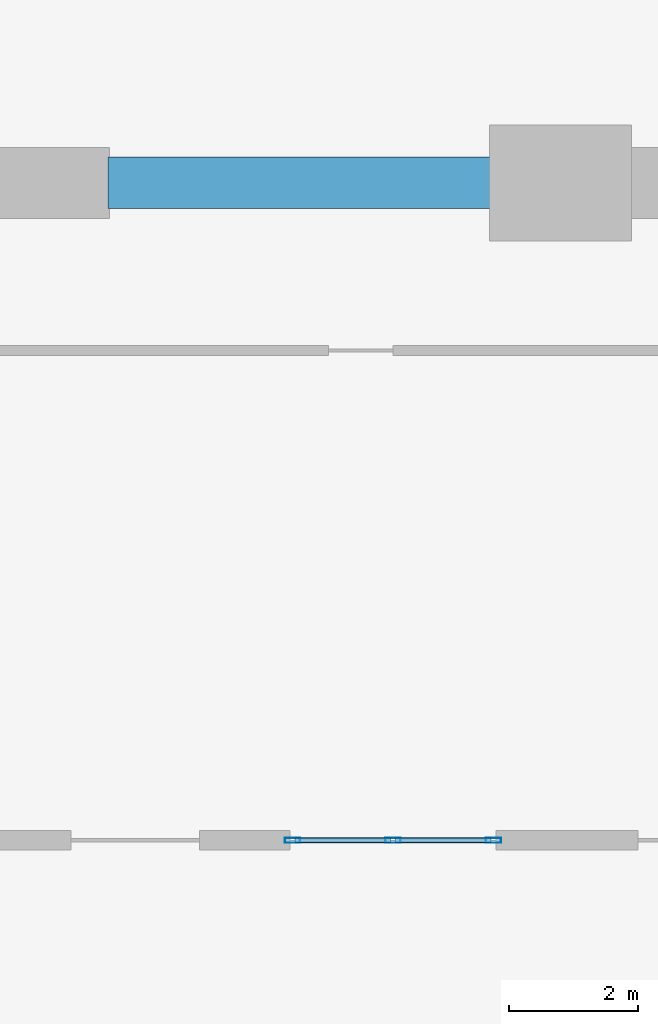
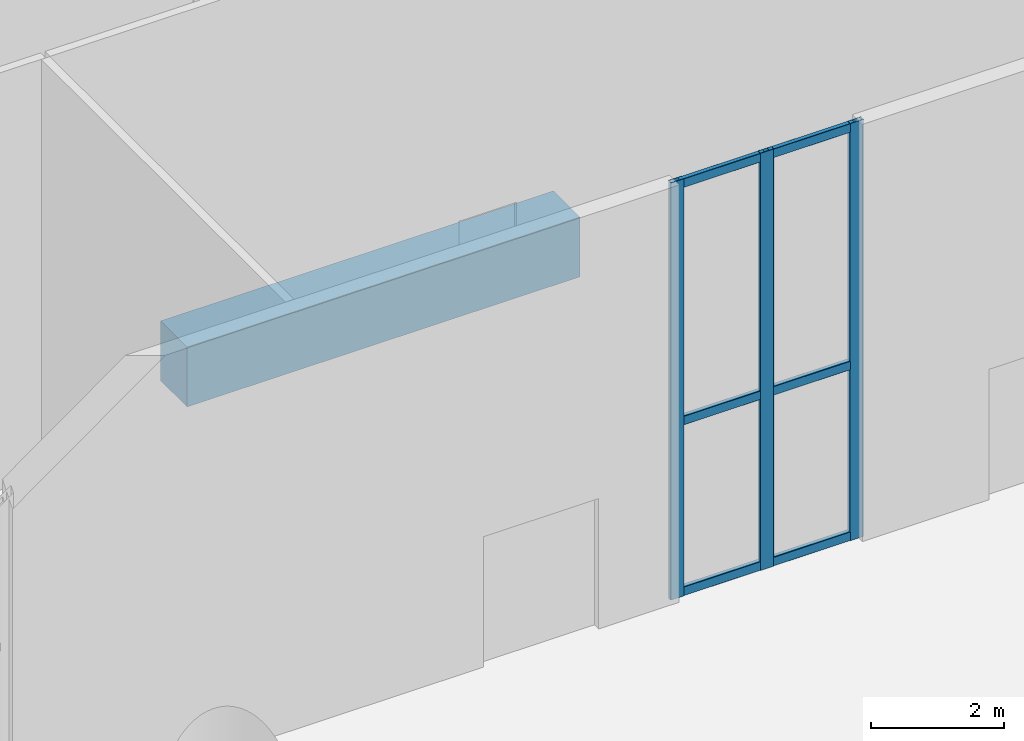
# One storey, part 6 of 17: 9 members, 1 beam, 1 element without a shape of its own.
"""IFC4 building model written with IfcOpenShell, lengths in metres."""

import ifcopenshell
import ifcopenshell.guid

model = None  # the IFC model being written
_history = None  # IfcOwnerHistory: only IFC2X3 demands one
_inside = {}  # id of a spatial element -> (the spatial element, [elements in it])
_under = {}  # id of a project, library or spatial element -> (it, [spatial elements below it])
_declared = {}  # id of a project -> (the project, [libraries it declares])
_typed = {}  # id of a type object -> (the type object, [elements of that type])
_made_of = {}  # id of a material, layer set ... -> (it, [elements and type objects made of it])


def new_model(schema):
    """Start an empty IFC model of exactly this schema.

    Asked for "IFC4X3", IfcOpenShell would pick the latest addendum, in which some entities
    have other attributes; the version numbers below select the first issue.
    IFC2X3 requires an IfcOwnerHistory on every rooted entity: one is made here for all.
    """
    global model, _history
    if schema == "IFC4X3":
        model = ifcopenshell.file(schema_version=(4, 3, 0, 0))
    else:
        model = ifcopenshell.file(schema=schema)
    _inside.clear()
    _under.clear()
    _declared.clear()
    _typed.clear()
    _made_of.clear()
    _history = None
    if model.schema == "IFC2X3":
        org = make("IfcOrganization", Name="unknown")
        user = make(
            "IfcPersonAndOrganization",
            ThePerson=make("IfcPerson", FamilyName="unknown"),
            TheOrganization=org,
        )
        app = make(
            "IfcApplication",
            ApplicationDeveloper=org,
            Version="unknown",
            ApplicationFullName="unknown",
            ApplicationIdentifier="unknown",
        )
        _history = make(
            "IfcOwnerHistory",
            OwningUser=user,
            OwningApplication=app,
            ChangeAction="ADDED",
            CreationDate=0,
        )
    return model


def make(cls, **values):
    """One entity of the class cls with the attributes given. An attribute that is None is left unset."""
    return model.create_entity(
        cls, **{name: value for name, value in values.items() if value is not None}
    )


def rooted(cls, **values):
    """An entity with a GlobalId (a new one), such as an element, a storey or a relation."""
    return make(cls, GlobalId=ifcopenshell.guid.new(), OwnerHistory=_history, **values)


def si_unit(unit_type, name, prefix=None):
    """IfcSIUnit, for example si_unit("LENGTHUNIT", "METRE", prefix="MILLI")."""
    return make("IfcSIUnit", UnitType=unit_type, Prefix=prefix, Name=name)


def assignment(units):
    """IfcUnitAssignment: the units of a project."""
    return None if units is None else make("IfcUnitAssignment", Units=units)


def point(xyz):
    """IfcCartesianPoint."""
    return None if xyz is None else make("IfcCartesianPoint", Coordinates=xyz)


def direction(xyz):
    """IfcDirection."""
    return None if xyz is None else make("IfcDirection", DirectionRatios=xyz)


def frame(location, z_axis=None, x_axis=None):
    """IfcAxis2Placement3D, a coordinate frame: its origin and axes. An axis left out is left unset."""
    return make(
        "IfcAxis2Placement3D",
        Location=point(location),
        Axis=direction(z_axis),
        RefDirection=direction(x_axis),
    )


def frame_2d(location, x_axis=None):
    """IfcAxis2Placement2D, a coordinate frame in the plane: its origin and x axis."""
    return make(
        "IfcAxis2Placement2D", Location=point(location), RefDirection=direction(x_axis)
    )


def origin():
    """The frame at (0, 0, 0) with its axes left unset."""
    return frame((0.0, 0.0, 0.0))


def origin_2d():
    """The frame at (0, 0) in the plane with its x axis left unset."""
    return frame_2d((0.0, 0.0))


def place(relative_to, where):
    """IfcLocalPlacement: puts the frame where relative to a parent placement (None: the world)."""
    return make(
        "IfcLocalPlacement", PlacementRelTo=relative_to, RelativePlacement=where
    )


def context(
    kind, dimensions, precision=None, world=None, true_north=None, identifier=None
):
    """IfcGeometricRepresentationContext, for example the 3D "Model" context."""
    return make(
        "IfcGeometricRepresentationContext",
        ContextIdentifier=identifier,
        ContextType=kind,
        CoordinateSpaceDimension=dimensions,
        Precision=precision,
        WorldCoordinateSystem=world,
        TrueNorth=true_north,
    )


def subcontext(parent, identifier, kind, view, scale=None):
    """IfcGeometricRepresentationSubContext, for example "Body" below "Model"."""
    return make(
        "IfcGeometricRepresentationSubContext",
        ContextIdentifier=identifier,
        ContextType=kind,
        ParentContext=parent,
        TargetScale=scale,
        TargetView=view,
    )


def project(units=None, contexts=None):
    """IfcProject with its units and contexts."""
    return rooted(
        "IfcProject",
        Name="project",
        RepresentationContexts=contexts,
        UnitsInContext=assignment(units),
    )


def spatial(cls, under=None, at=None, **own):
    """A site, building, storey or space (cls), placed at a placement, below another one or the project."""
    s = rooted(cls, ObjectPlacement=at, **own)
    if under is not None:
        _under.setdefault(under.id(), (under, []))[1].append(s)
    return s


def profile(cls, at=None, kind="AREA", **sizes):
    """A parametric profile (cls). Its sizes go by their IFC names, for example OverallWidth=200.0."""
    return make(cls, ProfileType=kind, Position=at, **sizes)


def rectangle(**sizes):
    """IfcRectangleProfileDef."""
    return profile("IfcRectangleProfileDef", **sizes)


def hollow_rectangle(**sizes):
    """IfcRectangleHollowProfileDef."""
    return profile("IfcRectangleHollowProfileDef", **sizes)


def extrude(swept, where, along, depth):
    """IfcExtrudedAreaSolid: the profile swept, set in the frame where, extruded along a direction by depth."""
    return make(
        "IfcExtrudedAreaSolid",
        SweptArea=swept,
        Position=where,
        ExtrudedDirection=direction(along),
        Depth=depth,
    )


def shape(context_of_items, identifier, shape_type, items):
    """IfcShapeRepresentation: the items that make up one representation, for example the "Body"."""
    return make(
        "IfcShapeRepresentation",
        ContextOfItems=context_of_items,
        RepresentationIdentifier=identifier,
        RepresentationType=shape_type,
        Items=items,
    )


def material(Name=None, Category=None):
    """IfcMaterial."""
    return make("IfcMaterial", Name=Name, Category=Category)


def layer(
    of_material, thickness, ventilated=None, Name=None, Category=None, Priority=None
):
    """IfcMaterialLayer: one layer of a wall or slab, of a material (None: an air gap)."""
    return make(
        "IfcMaterialLayer",
        Material=of_material,
        LayerThickness=thickness,
        IsVentilated=ventilated,
        Name=Name,
        Category=Category,
        Priority=Priority,
    )


def layer_set(layers, Name=None):
    """IfcMaterialLayerSet."""
    return make("IfcMaterialLayerSet", MaterialLayers=layers, LayerSetName=Name)


def material_profile(
    of_material, cross_section, Name=None, Category=None, Priority=None
):
    """IfcMaterialProfile: a cross section and its material."""
    return make(
        "IfcMaterialProfile",
        Name=Name,
        Material=of_material,
        Profile=cross_section,
        Priority=Priority,
        Category=Category,
    )


def profile_set(profiles, Name=None, composite=None):
    """IfcMaterialProfileSet."""
    return make(
        "IfcMaterialProfileSet",
        Name=Name,
        MaterialProfiles=profiles,
        CompositeProfile=composite,
    )


def made_of(thing, what):
    """Note that an element or type object is made of a material, layer set ...; save() writes the relation."""
    if what is not None:
        _made_of.setdefault(what.id(), (what, []))[1].append(thing)
    return thing


def type_object(cls, material=None, **own):
    """A type object (cls), such as IfcWallType, which elements share."""
    return made_of(rooted(cls, **own), material)


def element(
    cls,
    number,
    at=None,
    inside=None,
    cuts=None,
    type_object=None,
    material=None,
    context=None,
    identifier="Body",
    shape_type=None,
    held_by="IfcProductDefinitionShape",
    body=None,
    shapes=None,
    **own,
):
    """One element of the class cls, such as IfcWall. Its Tag is "e" and its number.

    at: its placement. inside: the storey or other place that contains it. cuts: it is an
    opening in that element (IfcRelVoidsElement). A single representation is given by context,
    identifier, shape_type and body (its items); several are given by shapes. held_by: the class
    of the entity that holds the representations. save() writes the other relations.
    """
    e = rooted(cls, Tag="e%d" % number, ObjectPlacement=at, **own)
    if body is not None:
        shapes = [shape(context, identifier, shape_type, body)]
    if shapes is not None:
        e.Representation = make(held_by, Representations=shapes)
    if inside is not None:
        _inside.setdefault(inside.id(), (inside, []))[1].append(e)
    if cuts is not None:
        rooted(
            "IfcRelVoidsElement", RelatingBuildingElement=cuts, RelatedOpeningElement=e
        )
    if type_object is not None:
        _typed.setdefault(type_object.id(), (type_object, []))[1].append(e)
    return made_of(e, material)


def aggregate(whole, parts):
    """IfcRelAggregates: a whole, such as a stair, and the parts it consists of."""
    return rooted("IfcRelAggregates", RelatingObject=whole, RelatedObjects=parts)


def save(model, path):
    """Write the relations noted so far, then the file.

    IfcRelAggregates (storeys below a building ...), IfcRelContainedInSpatialStructure (elements
    in a storey), IfcRelDefinesByType, IfcRelAssociatesMaterial and IfcRelDeclares: one each for
    every whole, place, type object, material and project.
    """
    for whole, parts in _under.values():
        aggregate(whole, parts)
    for where, things in _inside.values():
        rooted(
            "IfcRelContainedInSpatialStructure",
            RelatedElements=things,
            RelatingStructure=where,
        )
    for kind, things in _typed.values():
        rooted("IfcRelDefinesByType", RelatedObjects=things, RelatingType=kind)
    for what, things in _made_of.values():
        rooted("IfcRelAssociatesMaterial", RelatedObjects=things, RelatingMaterial=what)
    for by, libraries in _declared.values():
        rooted("IfcRelDeclares", RelatingContext=by, RelatedDefinitions=libraries)
    model.write(path)


model = new_model("IFC4")

# Units and contexts
model_context = context("Model", 3, precision=1e-05, world=origin(), true_north=direction((0.0, 1.0)))
body_context = subcontext(model_context, "Body", "Model", "MODEL_VIEW")
ifc_project = project(units=[si_unit("LENGTHUNIT", "METRE"), si_unit("AREAUNIT", "SQUARE_METRE"), si_unit("VOLUMEUNIT", "CUBIC_METRE"), si_unit("PLANEANGLEUNIT", "RADIAN"), si_unit("MASSUNIT", "GRAM", prefix="KILO")], contexts=[model_context])

# Site, building, storey
site_placement = place(None, origin())
site = spatial("IfcSite", under=ifc_project, at=site_placement, CompositionType="ELEMENT")
building_placement = place(site_placement, origin())
building = spatial("IfcBuilding", under=site, at=building_placement, Name="Kaelvorn Grand Hotel", CompositionType="ELEMENT")
storey_placement = place(building_placement, origin())
storey = spatial("IfcBuildingStorey", under=building, at=storey_placement, Name="L00", CompositionType="ELEMENT", Elevation=0.0)

# Beam
ifc_material_1 = material(Name="Concrete C60/75", Category="concrete")
ifc_material_profile_1 = material_profile(ifc_material_1, rectangle(XDim=0.800048828125, YDim=1.10009765625, at=origin_2d()), Name="RC LINTEL 800x1100")
ifc_profile_set_1 = profile_set([ifc_material_profile_1], Name="Concrete C60/75")
beam_type = type_object("IfcBeamType", Name="BM-LIN-800x1100-C60", PredefinedType="LINTEL", material=ifc_profile_set_1)
beam_placement = place(storey_placement, frame((53.580078125, 29.39990234375, -0.89990234375), z_axis=(1.0, 0.0, 0.0), x_axis=(0.0, 1.0, 0.0)))
element("IfcBeam", 1, at=beam_placement, inside=storey, type_object=beam_type, Name="L00 Rear-Core Coupling Lintel Beam CB1-03", PredefinedType="LINTEL", context=body_context, shape_type="SweptSolid", body=[
    extrude(rectangle(XDim=0.800048828125, YDim=1.10009765625, at=origin_2d()), origin(), (0.0, 0.0, 1.0), 6.83984375),
])

# Curtain wall, members
ifc_material_2 = material(Name="Anodised Aluminium", Category="aluminium")
ifc_layer = layer(ifc_material_2, 0.239990234375)
ifc_layer_set = layer_set([ifc_layer], Name="Anodised Aluminium")
curtain_wall_type = type_object("IfcCurtainWallType", Name="CW-SYS1", PredefinedType="NOTDEFINED", material=ifc_layer_set)
curtain_wall_placement = place(storey_placement, origin())
curtain_wall = element("IfcCurtainWall", 2, at=curtain_wall_placement, inside=storey, type_object=curtain_wall_type, Name="L00 Unitised Curtain Wall CW1 (CW-L00-01)", PredefinedType="NOTDEFINED")
ifc_material_profile_2 = material_profile(ifc_material_2, hollow_rectangle(XDim=0.080078125, YDim=0.239990234375, WallThickness=0.0048828125, InnerFilletRadius=0.0048828125, OuterFilletRadius=0.010009765625, at=origin_2d()), Name="ALU MULL 80x240")
ifc_profile_set_2 = profile_set([ifc_material_profile_2], Name="Anodised Aluminium")
member_type_1 = type_object("IfcMemberType", Name="CW-SYS1-MULL", PredefinedType="MULLION", material=ifc_profile_set_2)
member_1_placement = place(storey_placement, frame((59.56005859375, 19.199951171875, 0.0), z_axis=(0.0, 0.0, 1.0), x_axis=(0.0, -1.0, 0.0)))
member_1 = element("IfcMember", 3, at=member_1_placement, type_object=member_type_1, Name="CW1 mullion 1", PredefinedType="MULLION", context=body_context, shape_type="SweptSolid", body=[
    extrude(hollow_rectangle(XDim=0.080078125, YDim=0.239990234375, WallThickness=0.0048828125, InnerFilletRadius=0.0048828125, OuterFilletRadius=0.010009765625, at=origin_2d()), origin(), (0.0, 0.0, 1.0), 7.679931640625),
])
member_2_placement = place(storey_placement, frame((58.0, 19.199951171875, 0.0), z_axis=(0.0, 0.0, 1.0), x_axis=(0.0, -1.0, 0.0)))
member_2 = element("IfcMember", 4, at=member_2_placement, type_object=member_type_1, Name="CW1 mullion 2", PredefinedType="MULLION", context=body_context, shape_type="SweptSolid", body=[
    extrude(hollow_rectangle(XDim=0.080078125, YDim=0.239990234375, WallThickness=0.0048828125, InnerFilletRadius=0.0048828125, OuterFilletRadius=0.010009765625, at=origin_2d()), origin(), (0.0, 0.0, 1.0), 7.679931640625),
])
member_3_placement = place(storey_placement, frame((56.43994140625, 19.199951171875, 0.0), z_axis=(0.0, 0.0, 1.0), x_axis=(0.0, -1.0, 0.0)))
member_3 = element("IfcMember", 5, at=member_3_placement, type_object=member_type_1, Name="CW1 mullion 3", PredefinedType="MULLION", context=body_context, shape_type="SweptSolid", body=[
    extrude(hollow_rectangle(XDim=0.080078125, YDim=0.239990234375, WallThickness=0.0048828125, InnerFilletRadius=0.0048828125, OuterFilletRadius=0.010009765625, at=origin_2d()), origin(), (0.0, 0.0, 1.0), 7.679931640625),
])
ifc_material_profile_3 = material_profile(ifc_material_2, hollow_rectangle(XDim=0.080078125, YDim=0.1650390625, WallThickness=0.00439453125, InnerFilletRadius=0.00439453125, OuterFilletRadius=0.009033203125, at=origin_2d()), Name="ALU TRAN 80x165")
ifc_profile_set_3 = profile_set([ifc_material_profile_3], Name="Anodised Aluminium")
member_type_2 = type_object("IfcMemberType", Name="CW-SYS1-TRAN", PredefinedType="NOTDEFINED", material=ifc_profile_set_3)
member_4_placement = place(storey_placement, frame((59.52001953125, 19.199951171875, 0.08251953125), z_axis=(-1.0, 0.0, 0.0), x_axis=(0.0, -1.0, 0.0)))
member_4 = element("IfcMember", 6, at=member_4_placement, type_object=member_type_2, Name="CW1 transom 1.1", ObjectType="TRANSOM", PredefinedType="USERDEFINED", context=body_context, shape_type="SweptSolid", body=[
    extrude(hollow_rectangle(XDim=0.080078125, YDim=0.1650390625, WallThickness=0.00439453125, InnerFilletRadius=0.00439453125, OuterFilletRadius=0.009033203125, at=origin_2d()), origin(), (0.0, 0.0, 1.0), 1.47998046875),
])
member_5_placement = place(storey_placement, frame((59.52001953125, 19.199951171875, 3.2255859375), z_axis=(-1.0, 0.0, 0.0), x_axis=(0.0, -1.0, 0.0)))
member_5 = element("IfcMember", 7, at=member_5_placement, type_object=member_type_2, Name="CW1 transom 1.2", ObjectType="TRANSOM", PredefinedType="USERDEFINED", context=body_context, shape_type="SweptSolid", body=[
    extrude(hollow_rectangle(XDim=0.080078125, YDim=0.1650390625, WallThickness=0.00439453125, InnerFilletRadius=0.00439453125, OuterFilletRadius=0.009033203125, at=origin_2d()), origin(), (0.0, 0.0, 1.0), 1.47998046875),
])
member_6_placement = place(storey_placement, frame((59.52001953125, 19.199951171875, 7.597412109375), z_axis=(-1.0, 0.0, 0.0), x_axis=(0.0, -1.0, 0.0)))
member_6 = element("IfcMember", 8, at=member_6_placement, type_object=member_type_2, Name="CW1 transom 1.3", ObjectType="TRANSOM", PredefinedType="USERDEFINED", context=body_context, shape_type="SweptSolid", body=[
    extrude(hollow_rectangle(XDim=0.080078125, YDim=0.1650390625, WallThickness=0.00439453125, InnerFilletRadius=0.00439453125, OuterFilletRadius=0.009033203125, at=origin_2d()), origin(), (0.0, 0.0, 1.0), 1.47998046875),
])
member_7_placement = place(storey_placement, frame((57.9599609375, 19.199951171875, 0.08251953125), z_axis=(-1.0, 0.0, 0.0), x_axis=(0.0, -1.0, 0.0)))
member_7 = element("IfcMember", 9, at=member_7_placement, type_object=member_type_2, Name="CW1 transom 2.1", ObjectType="TRANSOM", PredefinedType="USERDEFINED", context=body_context, shape_type="SweptSolid", body=[
    extrude(hollow_rectangle(XDim=0.080078125, YDim=0.1650390625, WallThickness=0.00439453125, InnerFilletRadius=0.00439453125, OuterFilletRadius=0.009033203125, at=origin_2d()), origin(), (0.0, 0.0, 1.0), 1.47998046875),
])
member_8_placement = place(storey_placement, frame((57.9599609375, 19.199951171875, 3.2255859375), z_axis=(-1.0, 0.0, 0.0), x_axis=(0.0, -1.0, 0.0)))
member_8 = element("IfcMember", 10, at=member_8_placement, type_object=member_type_2, Name="CW1 transom 2.2", ObjectType="TRANSOM", PredefinedType="USERDEFINED", context=body_context, shape_type="SweptSolid", body=[
    extrude(hollow_rectangle(XDim=0.080078125, YDim=0.1650390625, WallThickness=0.00439453125, InnerFilletRadius=0.00439453125, OuterFilletRadius=0.009033203125, at=origin_2d()), origin(), (0.0, 0.0, 1.0), 1.47998046875),
])
member_9_placement = place(storey_placement, frame((57.9599609375, 19.199951171875, 7.597412109375), z_axis=(-1.0, 0.0, 0.0), x_axis=(0.0, -1.0, 0.0)))
member_9 = element("IfcMember", 11, at=member_9_placement, type_object=member_type_2, Name="CW1 transom 2.3", ObjectType="TRANSOM", PredefinedType="USERDEFINED", context=body_context, shape_type="SweptSolid", body=[
    extrude(hollow_rectangle(XDim=0.080078125, YDim=0.1650390625, WallThickness=0.00439453125, InnerFilletRadius=0.00439453125, OuterFilletRadius=0.009033203125, at=origin_2d()), origin(), (0.0, 0.0, 1.0), 1.47998046875),
])
aggregate(curtain_wall, [member_1, member_2, member_3, member_4, member_5, member_6, member_7, member_8, member_9])

save(model, "model.ifc")
